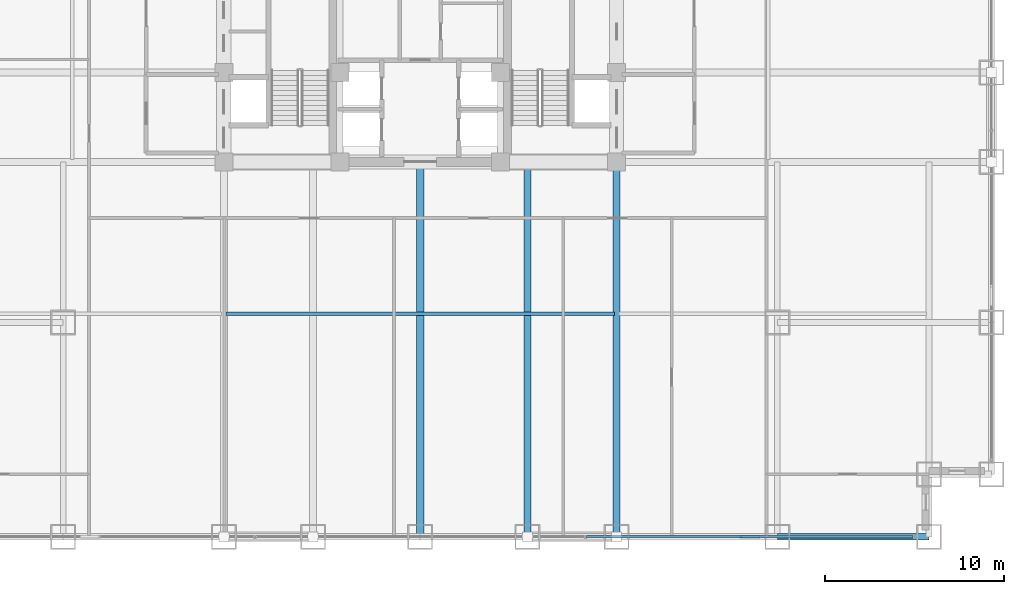
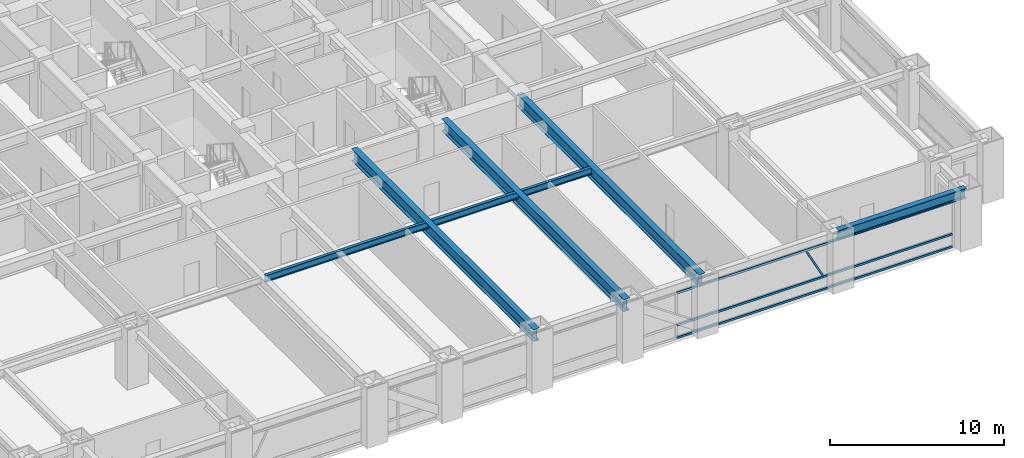
# One storey, part 9 of 27: 5 beams, 4 members, 1 element without a shape of its own.
"""IFC4 building model written with IfcOpenShell, lengths in metres."""

from ifc_helpers import new_model, si_unit, direction, frame, origin, origin_2d, place, context, subcontext, project, spatial, hollow_rectangle, i_section, extrude, source, transform, mapped, material, material_profile, profile_set, type_object, element, aggregate, save


model = new_model("IFC4")

# Units and contexts
model_context = context("Model", 3, precision=1e-05, world=origin(), true_north=direction((0.0, 1.0)))
body_context = subcontext(model_context, "Body", "Model", "MODEL_VIEW")
ifc_project = project(units=[si_unit("LENGTHUNIT", "METRE"), si_unit("AREAUNIT", "SQUARE_METRE"), si_unit("VOLUMEUNIT", "CUBIC_METRE"), si_unit("PLANEANGLEUNIT", "RADIAN"), si_unit("MASSUNIT", "GRAM", prefix="KILO")], contexts=[model_context])

# Site, building, storey
site_placement = place(None, origin())
site = spatial("IfcSite", under=ifc_project, at=site_placement, CompositionType="ELEMENT")
building_placement = place(site_placement, origin())
building = spatial("IfcBuilding", under=site, at=building_placement, Name="Khorayat Bourse Tower", CompositionType="ELEMENT")
storey_placement = place(building_placement, frame((0.0, 0.0, 49.39990234375)))
storey = spatial("IfcBuildingStorey", under=building, at=storey_placement, Name="L10", CompositionType="ELEMENT", Elevation=49.39990234375)

# Beams
ifc_material_1 = material(Name="Steel ASTM A992 Grade 50", Category="steel")
ifc_material_profile_1 = material_profile(ifc_material_1, i_section(OverallWidth=0.35498046875, OverallDepth=0.695068359375, WebThickness=0.015380859375, FlangeThickness=0.02490234375, FilletRadius=0.01806640625, at=origin_2d()), Name="W690X217")
ifc_profile_set_1 = profile_set([ifc_material_profile_1], Name="Steel ASTM A992 Grade 50")
beam_type_1 = type_object("IfcBeamType", Name="BM-SPAN-690", PredefinedType="SPANDREL", material=ifc_profile_set_1)
shared_shape_1 = source(origin(), body_context, "Body", "SweptSolid", [
    extrude(i_section(OverallWidth=0.35498046875, OverallDepth=0.695068359375, WebThickness=0.015380859375, FlangeThickness=0.02490234375, FilletRadius=0.01806640625, at=origin_2d()), origin(), (0.0, 0.0, 1.0), 8.5),
])
beam_1_placement = place(storey_placement, frame((20.0, -32.0, 3.592529296875), z_axis=(1.0, 0.0, 0.0), x_axis=(0.0, 1.0, 0.0)))
element("IfcBeam", 1, at=beam_1_placement, inside=storey, type_object=beam_type_1, Name="L10 BM-SPAN-690 BM-L10-SPN-031", PredefinedType="SPANDREL", context=body_context, shape_type="MappedRepresentation", body=[
    mapped(shared_shape_1, transform((0.0, 0.0, 0.0), scale=1.0)),
])
ifc_material_profile_2 = material_profile(ifc_material_1, i_section(OverallWidth=0.39990234375, OverallDepth=0.85498046875, WebThickness=0.018310546875, FlangeThickness=0.029296875, FilletRadius=0.02001953125, at=origin_2d()), Name="W840X299")
ifc_profile_set_2 = profile_set([ifc_material_profile_2], Name="Steel ASTM A992 Grade 50")
beam_type_2 = type_object("IfcBeamType", Name="BM-GIRD-840", PredefinedType="BEAM", material=ifc_profile_set_2)
shared_shape_2 = source(origin(), body_context, "Body", "SweptSolid", [
    extrude(i_section(OverallWidth=0.39990234375, OverallDepth=0.85498046875, WebThickness=0.018310546875, FlangeThickness=0.029296875, FilletRadius=0.02001953125, at=origin_2d()), origin(), (0.0, 0.0, 1.0), 21.0),
])
for number, where, z_axis, x_axis, name in (
    (2, (0.0, -32.0, 3.5126953125), (0.0, 1.0, 0.0), (-1.0, 0.0, 0.0), "L10 BM-GIRD-840 BM-L10-RADY-069"),
    (3, (6.0, -32.0, 3.5126953125), (0.0, 1.0, 0.0), (-1.0, 0.0, 0.0), "L10 BM-GIRD-840 BM-L10-RADY-071"),
    (4, (11.0, -32.0, 3.5126953125), (0.0, 1.0, 0.0), (-1.0, 0.0, 0.0), "L10 BM-GIRD-840 BM-L10-RADY-073"),
):
    element("IfcBeam", number, at=place(storey_placement, frame(where, z_axis=z_axis, x_axis=x_axis)), inside=storey, type_object=beam_type_2, Name=name, PredefinedType="BEAM", context=body_context, shape_type="MappedRepresentation", body=[
        mapped(shared_shape_2, transform((0.0, 0.0, 0.0), scale=1.0)),
    ])
ifc_material_profile_3 = material_profile(ifc_material_1, i_section(OverallWidth=0.194091796875, OverallDepth=0.468994140625, WebThickness=0.0126953125, FlangeThickness=0.0205078125, FilletRadius=0.012939453125, at=origin_2d()), Name="W460X106")
ifc_profile_set_3 = profile_set([ifc_material_profile_3], Name="Steel ASTM A992 Grade 50")
beam_type_3 = type_object("IfcBeamType", Name="BM-JOIST-460", PredefinedType="JOIST", material=ifc_profile_set_3)
shared_shape_3 = source(origin(), body_context, "Body", "SweptSolid", [
    extrude(i_section(OverallWidth=0.194091796875, OverallDepth=0.468994140625, WebThickness=0.0126953125, FlangeThickness=0.0205078125, FilletRadius=0.012939453125, at=origin_2d()), origin(), (0.0, 0.0, 1.0), 21.740234375),
])
beam_2_placement = place(storey_placement, frame((-10.8701171875, -19.5, 3.70556640625), z_axis=(1.0, 0.0, 0.0), x_axis=(0.0, 1.0, 0.0)))
element("IfcBeam", 5, at=beam_2_placement, inside=storey, type_object=beam_type_3, Name="L10 BM-JOIST-460 BM-L10-JSTX-097", PredefinedType="JOIST", context=body_context, shape_type="MappedRepresentation", body=[
    mapped(shared_shape_3, transform((0.0, 0.0, 0.0), scale=1.0)),
])

# Curtain wall, members
ifc_material_2 = material(Name="Aluminium EN AW-6063 T6", Category="aluminium")
curtain_wall_type = type_object("IfcCurtainWallType", Name="CW-SYS-02", PredefinedType="NOTDEFINED", material=ifc_material_2)
curtain_wall_placement = place(storey_placement, origin())
curtain_wall = element("IfcCurtainWall", 6, at=curtain_wall_placement, inside=storey, type_object=curtain_wall_type, Name="L10 Curtain Wall CW-L10-S1", PredefinedType="NOTDEFINED")
ifc_material_profile_4 = material_profile(ifc_material_2, hollow_rectangle(XDim=0.139892578125, YDim=0.139892578125, WallThickness=0.006103515625, at=origin_2d()), Name="ALU 140x140x6")
ifc_profile_set_4 = profile_set([ifc_material_profile_4], Name="Aluminium EN AW-6063 T6")
member_type_1 = type_object("IfcMemberType", Name="CWT-HORZ-140", PredefinedType="USERDEFINED", material=ifc_profile_set_4)
shared_shape_4 = source(origin(), body_context, "Body", "SweptSolid", [
    extrude(hollow_rectangle(XDim=0.139892578125, YDim=0.139892578125, WallThickness=0.006103515625, at=origin_2d()), origin(), (0.0, 0.0, 1.0), 18.2900390625),
])
member_1_placement = place(storey_placement, frame((9.320068359375, -32.0, 0.070068359375), z_axis=(1.0, 0.0, 0.0), x_axis=(0.0, 1.0, 0.0)))
member_1 = element("IfcMember", 7, at=member_1_placement, type_object=member_type_1, Name="CW-L10-S1 Horizontal Transom 3-1", ObjectType="TRANSOM", PredefinedType="USERDEFINED", context=body_context, shape_type="MappedRepresentation", body=[
    mapped(shared_shape_4, transform((0.0, 0.0, 0.0), scale=1.0)),
])
member_2_placement = place(storey_placement, frame((9.320068359375, -32.0, 0.9501953125), z_axis=(1.0, 0.0, 0.0), x_axis=(0.0, 1.0, 0.0)))
member_2 = element("IfcMember", 8, at=member_2_placement, type_object=member_type_1, Name="CW-L10-S1 Horizontal Transom 3-2", ObjectType="TRANSOM", PredefinedType="USERDEFINED", context=body_context, shape_type="MappedRepresentation", body=[
    mapped(shared_shape_4, transform((0.0, 0.0, 0.0), scale=1.0)),
])
member_3_placement = place(storey_placement, frame((9.320068359375, -32.0, 3.22021484375), z_axis=(1.0, 0.0, 0.0), x_axis=(0.0, 1.0, 0.0)))
member_3 = element("IfcMember", 9, at=member_3_placement, type_object=member_type_1, Name="CW-L10-S1 Horizontal Transom 3-3", ObjectType="TRANSOM", PredefinedType="USERDEFINED", context=body_context, shape_type="MappedRepresentation", body=[
    mapped(shared_shape_4, transform((0.0, 0.0, 0.0), scale=1.0)),
])
ifc_material_profile_5 = material_profile(ifc_material_2, hollow_rectangle(XDim=0.1201171875, YDim=0.1201171875, WallThickness=0.0048828125, at=origin_2d()), Name="ALU 120x120x5")
ifc_profile_set_5 = profile_set([ifc_material_profile_5], Name="Aluminium EN AW-6063 T6")
member_type_2 = type_object("IfcMemberType", Name="CWM-DIAG-120", PredefinedType="MULLION", material=ifc_profile_set_5)
shared_shape_5 = source(origin(), body_context, "Body", "SweptSolid", [
    extrude(hollow_rectangle(XDim=0.1201171875, YDim=0.1201171875, WallThickness=0.0048828125, at=origin_2d()), origin(), (0.0, 0.0, 1.0), 2.22607421875),
])
member_4_placement = place(storey_placement, frame((18.9833984375, -32.0, 1.10009765625), z_axis=(-0.465759992596, 0.0, 0.884911085532), x_axis=(0.0, -1.0, 0.0)))
member_4 = element("IfcMember", 10, at=member_4_placement, type_object=member_type_2, Name="CW-L10-S1 Faceted Diagonal Mullion 3", PredefinedType="MULLION", context=body_context, shape_type="MappedRepresentation", body=[
    mapped(shared_shape_5, transform((0.0, 0.0, 0.0), scale=1.0)),
])
aggregate(curtain_wall, [member_1, member_2, member_3, member_4])

save(model, "model.ifc")
